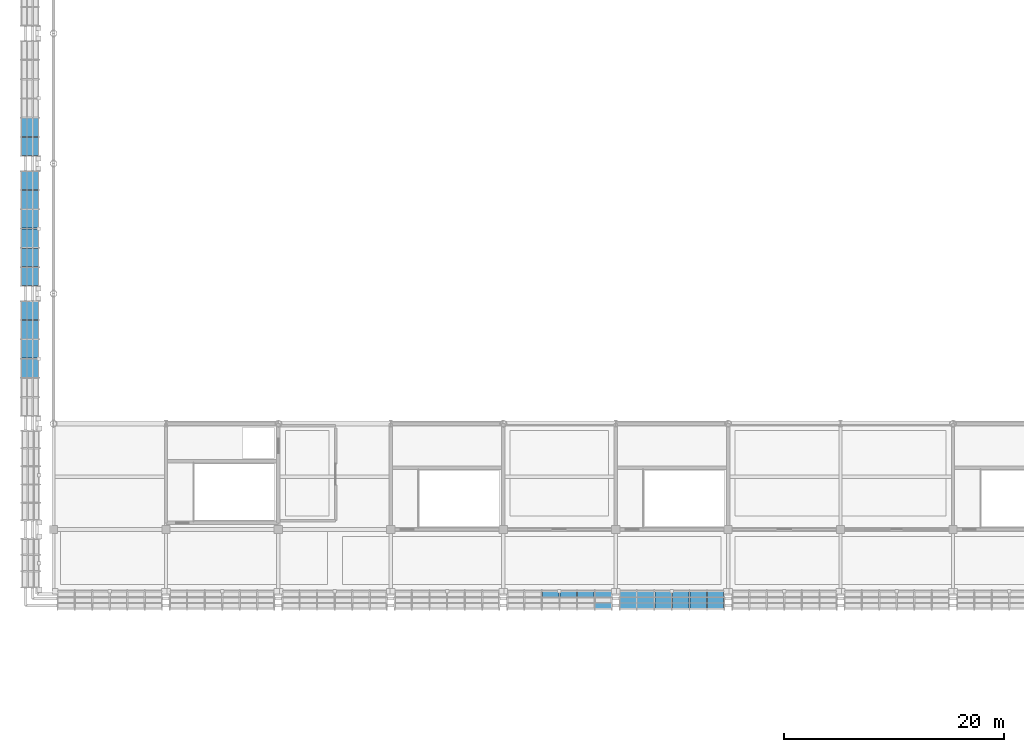
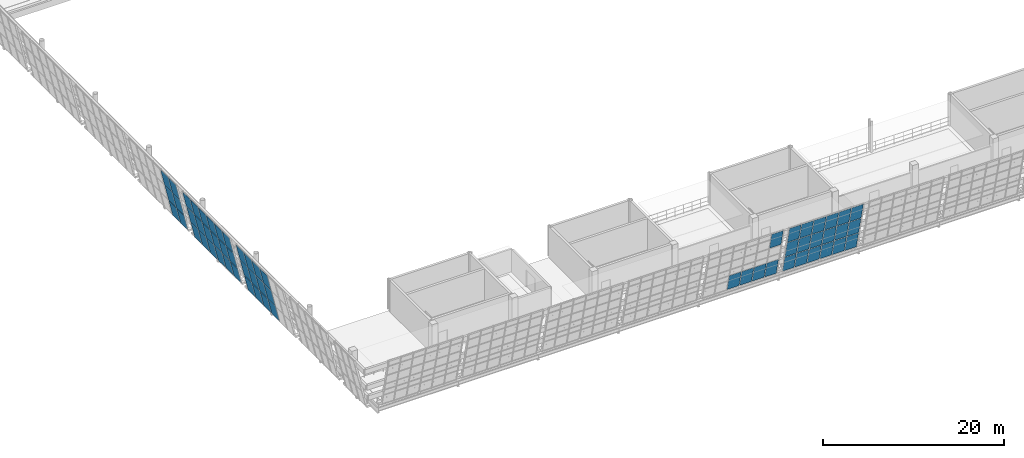
# One storey, part 102 of 157: 59 plates, 5 elements without a shape of their own.
"""IFC4 building model written with IfcOpenShell, lengths in metres."""

from ifc_helpers import new_model, si_unit, direction, frame, origin, place, context, subcontext, project, spatial, polyline, outline, extrude, material, layer, layer_set, type_object, element, aggregate, save


model = new_model("IFC4")

# Units and contexts
model_context = context("Model", 3, precision=1e-05, world=origin(), true_north=direction((0.0, 1.0)))
body_context = subcontext(model_context, "Body", "Model", "MODEL_VIEW")
ifc_project = project(units=[si_unit("LENGTHUNIT", "METRE"), si_unit("AREAUNIT", "SQUARE_METRE"), si_unit("VOLUMEUNIT", "CUBIC_METRE"), si_unit("PLANEANGLEUNIT", "RADIAN"), si_unit("MASSUNIT", "GRAM", prefix="KILO")], contexts=[model_context])

# Site, building, storey
site_placement = place(None, origin())
site = spatial("IfcSite", under=ifc_project, at=site_placement, CompositionType="ELEMENT")
building_placement = place(site_placement, origin())
building = spatial("IfcBuilding", under=site, at=building_placement, Name="Brelvane Convention Centre", CompositionType="ELEMENT")
storey_placement = place(building_placement, frame((0.0, 0.0, 10.800048828125)))
storey = spatial("IfcBuildingStorey", under=building, at=storey_placement, Name="L02", CompositionType="ELEMENT", Elevation=10.800048828125)

# Curtain wall, plate
ifc_material_1 = material(Name="Anodised Aluminium Alloy 6063-T6", Category="aluminium")
curtain_wall_type = type_object("IfcCurtainWallType", Name="Curtain Wall CW-HULL-S", PredefinedType="USERDEFINED", material=ifc_material_1)
curtain_wall_1_placement = place(storey_placement, origin())
curtain_wall_1 = element("IfcCurtainWall", 1, at=curtain_wall_1_placement, inside=storey, type_object=curtain_wall_type, Name="Curtain Wall CW-HULL-S L02-HULL-S-L02-05", ObjectType="UNITISED", PredefinedType="USERDEFINED")
ifc_material_2 = material(Name="Double Glazed Low-E Laminated Unit")
ifc_layer_1 = layer(ifc_material_2, 0.0380859375)
ifc_layer_set_1 = layer_set([ifc_layer_1], Name="Double Glazed Low-E Laminated Unit")
plate_type_1 = type_object("IfcPlateType", Name="Curtain Panel CW-PG2", PredefinedType="CURTAIN_PANEL", material=ifc_layer_set_1)
plate_1_placement = place(storey_placement, frame((49.126708984375, 12.51953125, 4.606689453125), z_axis=(0.0, 0.973586933466, 0.228316628794), x_axis=(1.0, 0.0, 0.0)))
plate_1 = element("IfcPlate", 2, at=plate_1_placement, type_object=plate_type_1, Name="CW-HULL-S panel 6.3", PredefinedType="CURTAIN_PANEL", context=body_context, shape_type="SweptSolid", body=[
    extrude(outline(polyline([(0.0, 0.0), (1.473388671875, 0.0), (1.473388671875, -2.2220204521674902), (0.0, -2.2220204521674902), (0.0, 0.0)])), origin(), (0.0, 0.0, -1.0), 0.0380859375),
])

# Curtain wall, plates
curtain_wall_2_placement = place(storey_placement, origin())
curtain_wall_2 = element("IfcCurtainWall", 3, at=curtain_wall_2_placement, inside=storey, type_object=curtain_wall_type, Name="Curtain Wall CW-HULL-S L02-HULL-S-L02-06", ObjectType="UNITISED", PredefinedType="USERDEFINED")
plate_2_placement = place(storey_placement, frame((51.39990234375, 13.05517578125, 2.3232421875), z_axis=(0.0, 0.973573977576, 0.228371868203), x_axis=(1.0, 0.0, 0.0)))
plate_2 = element("IfcPlate", 4, at=plate_2_placement, type_object=plate_type_1, Name="CW-HULL-S panel 1.2", PredefinedType="CURTAIN_PANEL", context=body_context, shape_type="SweptSolid", body=[
    extrude(outline(polyline([(0.0, 0.0), (1.473388671875, 0.0), (1.473388671875, -2.2631758771022032), (0.0, -2.2631758771022032), (0.0, 0.0)])), origin(), (0.0, 0.0, -1.0), 0.0380859375),
])
plate_3_placement = place(storey_placement, frame((51.39990234375, 12.51953125, 4.606689453125), z_axis=(0.0, 0.973586933466, 0.228316628794), x_axis=(1.0, 0.0, 0.0)))
plate_3 = element("IfcPlate", 5, at=plate_3_placement, type_object=plate_type_1, Name="CW-HULL-S panel 1.3", PredefinedType="CURTAIN_PANEL", context=body_context, shape_type="SweptSolid", body=[
    extrude(outline(polyline([(0.0, 0.0), (1.473388671875, 0.0), (1.473388671875, -2.2220204521674902), (0.0, -2.2220204521674902), (0.0, 0.0)])), origin(), (0.0, 0.0, -1.0), 0.0380859375),
])
plate_4_placement = place(storey_placement, frame((52.953369140625, 13.05517578125, 2.3232421875), z_axis=(0.0, 0.973573977576, 0.228371868203), x_axis=(1.0, 0.0, 0.0)))
plate_4 = element("IfcPlate", 6, at=plate_4_placement, type_object=plate_type_1, Name="CW-HULL-S panel 2.2", PredefinedType="CURTAIN_PANEL", context=body_context, shape_type="SweptSolid", body=[
    extrude(outline(polyline([(0.0, 0.0), (1.51318359375, 0.0), (1.51318359375, -2.2631758771022032), (0.0, -2.2631758771022032), (0.0, 0.0)])), origin(), (0.0, 0.0, -1.0), 0.0380859375),
])
plate_5_placement = place(storey_placement, frame((52.953369140625, 12.51953125, 4.606689453125), z_axis=(0.0, 0.973586933466, 0.228316628794), x_axis=(1.0, 0.0, 0.0)))
plate_5 = element("IfcPlate", 7, at=plate_5_placement, type_object=plate_type_1, Name="CW-HULL-S panel 2.3", PredefinedType="CURTAIN_PANEL", context=body_context, shape_type="SweptSolid", body=[
    extrude(outline(polyline([(0.0, 0.0), (1.51318359375, 0.0), (1.51318359375, -2.2220204521674902), (0.0, -2.2220204521674902), (0.0, 0.0)])), origin(), (0.0, 0.0, -1.0), 0.0380859375),
])
plate_6_placement = place(storey_placement, frame((54.546630859375, 13.05517578125, 2.3232421875), z_axis=(0.0, 0.973573977576, 0.228371868203), x_axis=(1.0, 0.0, 0.0)))
plate_6 = element("IfcPlate", 8, at=plate_6_placement, type_object=plate_type_1, Name="CW-HULL-S panel 3.2", PredefinedType="CURTAIN_PANEL", context=body_context, shape_type="SweptSolid", body=[
    extrude(outline(polyline([(0.0, 0.0), (1.513427734375, 0.0), (1.513427734375, -2.2631758771022032), (0.0, -2.2631758771022032), (0.0, 0.0)])), origin(), (0.0, 0.0, -1.0), 0.0380859375),
])
plate_7_placement = place(storey_placement, frame((54.546630859375, 12.51953125, 4.606689453125), z_axis=(0.0, 0.973586933466, 0.228316628794), x_axis=(1.0, 0.0, 0.0)))
plate_7 = element("IfcPlate", 9, at=plate_7_placement, type_object=plate_type_1, Name="CW-HULL-S panel 3.3", PredefinedType="CURTAIN_PANEL", context=body_context, shape_type="SweptSolid", body=[
    extrude(outline(polyline([(0.0, 0.0), (1.513427734375, 0.0), (1.513427734375, -2.2220204521674902), (0.0, -2.2220204521674902), (0.0, 0.0)])), origin(), (0.0, 0.0, -1.0), 0.0380859375),
])
plate_8_placement = place(storey_placement, frame((56.139892578125, 13.05517578125, 2.3232421875), z_axis=(0.0, 0.973573977576, 0.228371868203), x_axis=(1.0, 0.0, 0.0)))
plate_8 = element("IfcPlate", 10, at=plate_8_placement, type_object=plate_type_1, Name="CW-HULL-S panel 4.2", PredefinedType="CURTAIN_PANEL", context=body_context, shape_type="SweptSolid", body=[
    extrude(outline(polyline([(0.0, 0.0), (1.513427734375, 0.0), (1.513427734375, -2.2631758771022032), (0.0, -2.2631758771022032), (0.0, 0.0)])), origin(), (0.0, 0.0, -1.0), 0.0380859375),
])
plate_9_placement = place(storey_placement, frame((56.139892578125, 12.51953125, 4.606689453125), z_axis=(0.0, 0.973586933466, 0.228316628794), x_axis=(1.0, 0.0, 0.0)))
plate_9 = element("IfcPlate", 11, at=plate_9_placement, type_object=plate_type_1, Name="CW-HULL-S panel 4.3", PredefinedType="CURTAIN_PANEL", context=body_context, shape_type="SweptSolid", body=[
    extrude(outline(polyline([(0.0, 0.0), (1.513427734375, 0.0), (1.513427734375, -2.2220204521674902), (0.0, -2.2220204521674902), (0.0, 0.0)])), origin(), (0.0, 0.0, -1.0), 0.0380859375),
])
plate_10_placement = place(storey_placement, frame((57.7333984375, 13.05517578125, 2.3232421875), z_axis=(0.0, 0.973573977576, 0.228371868203), x_axis=(1.0, 0.0, 0.0)))
plate_10 = element("IfcPlate", 12, at=plate_10_placement, type_object=plate_type_1, Name="CW-HULL-S panel 5.2", PredefinedType="CURTAIN_PANEL", context=body_context, shape_type="SweptSolid", body=[
    extrude(outline(polyline([(0.0, 0.0), (1.51318359375, 0.0), (1.51318359375, -2.2631758771022032), (0.0, -2.2631758771022032), (0.0, 0.0)])), origin(), (0.0, 0.0, -1.0), 0.0380859375),
])
plate_11_placement = place(storey_placement, frame((57.7333984375, 12.51953125, 4.606689453125), z_axis=(0.0, 0.973586933466, 0.228316628794), x_axis=(1.0, 0.0, 0.0)))
plate_11 = element("IfcPlate", 13, at=plate_11_placement, type_object=plate_type_1, Name="CW-HULL-S panel 5.3", PredefinedType="CURTAIN_PANEL", context=body_context, shape_type="SweptSolid", body=[
    extrude(outline(polyline([(0.0, 0.0), (1.51318359375, 0.0), (1.51318359375, -2.2220204521674902), (0.0, -2.2220204521674902), (0.0, 0.0)])), origin(), (0.0, 0.0, -1.0), 0.0380859375),
])
plate_12_placement = place(storey_placement, frame((59.32666015625, 13.05517578125, 2.3232421875), z_axis=(0.0, 0.973573977576, 0.228371868203), x_axis=(1.0, 0.0, 0.0)))
plate_12 = element("IfcPlate", 14, at=plate_12_placement, type_object=plate_type_1, Name="CW-HULL-S panel 6.2", PredefinedType="CURTAIN_PANEL", context=body_context, shape_type="SweptSolid", body=[
    extrude(outline(polyline([(0.0, 0.0), (1.473388671875, 0.0), (1.473388671875, -2.2631758771022032), (0.0, -2.2631758771022032), (0.0, 0.0)])), origin(), (0.0, 0.0, -1.0), 0.0380859375),
])
plate_13_placement = place(storey_placement, frame((59.32666015625, 12.51953125, 4.606689453125), z_axis=(0.0, 0.973586933466, 0.228316628794), x_axis=(1.0, 0.0, 0.0)))
plate_13 = element("IfcPlate", 15, at=plate_13_placement, type_object=plate_type_1, Name="CW-HULL-S panel 6.3", PredefinedType="CURTAIN_PANEL", context=body_context, shape_type="SweptSolid", body=[
    extrude(outline(polyline([(0.0, 0.0), (1.473388671875, 0.0), (1.473388671875, -2.2220204521674902), (0.0, -2.2220204521674902), (0.0, 0.0)])), origin(), (0.0, 0.0, -1.0), 0.0380859375),
])

curtain_wall_3_placement = place(storey_placement, origin())
curtain_wall_3 = element("IfcCurtainWall", 16, at=curtain_wall_3_placement, inside=storey, type_object=curtain_wall_type, Name="Curtain Wall CW-HULL-S L02-HULL-W-L02-1", ObjectType="UNITISED", PredefinedType="USERDEFINED")
plate_14_placement = place(storey_placement, frame((-1.89599609375, 32.987548828125, 2.284912109375), z_axis=(0.973585642401, 0.0, 0.228322134079), x_axis=(0.0, 1.0, 0.0)))
plate_14 = element("IfcPlate", 17, at=plate_14_placement, type_object=plate_type_1, Name="CW-HULL-S panel 3.2", PredefinedType="CURTAIN_PANEL", context=body_context, shape_type="SweptSolid", body=[
    extrude(outline(polyline([(0.0, 0.0), (1.675048828125, 0.0), (1.675048828125, 2.2390753783596367), (0.0, 2.2390753783596367), (0.0, 0.0)])), origin(), (0.0, 0.0, -1.0), 0.0380859375),
])
plate_15_placement = place(storey_placement, frame((-2.423583984375, 32.987548828125, 4.534912109375), z_axis=(0.973572440639, 0.0, 0.228378420232), x_axis=(0.0, 1.0, 0.0)))
plate_15 = element("IfcPlate", 18, at=plate_15_placement, type_object=plate_type_1, Name="CW-HULL-S panel 3.3", PredefinedType="CURTAIN_PANEL", context=body_context, shape_type="SweptSolid", body=[
    extrude(outline(polyline([(0.0, 0.0), (1.675048828125, 0.0), (1.675048828125, 2.203245944227275), (0.0, 2.203245944227275), (0.0, 0.0)])), origin(), (0.0, 0.0, -1.0), 0.0380859375),
])
plate_16_placement = place(storey_placement, frame((-1.89599609375, 34.737548828125, 2.284912109375), z_axis=(0.973585642401, 0.0, 0.228322134079), x_axis=(0.0, 1.0, 0.0)))
plate_16 = element("IfcPlate", 19, at=plate_16_placement, type_object=plate_type_1, Name="CW-HULL-S panel 4.2", PredefinedType="CURTAIN_PANEL", context=body_context, shape_type="SweptSolid", body=[
    extrude(outline(polyline([(0.0, 0.0), (1.675048828125, 0.0), (1.675048828125, 2.2390753783596367), (0.0, 2.2390753783596367), (0.0, 0.0)])), origin(), (0.0, 0.0, -1.0), 0.0380859375),
])
plate_17_placement = place(storey_placement, frame((-2.423583984375, 34.737548828125, 4.534912109375), z_axis=(0.973572440639, 0.0, 0.228378420232), x_axis=(0.0, 1.0, 0.0)))
plate_17 = element("IfcPlate", 20, at=plate_17_placement, type_object=plate_type_1, Name="CW-HULL-S panel 4.3", PredefinedType="CURTAIN_PANEL", context=body_context, shape_type="SweptSolid", body=[
    extrude(outline(polyline([(0.0, 0.0), (1.675048828125, 0.0), (1.675048828125, 2.203245944227275), (0.0, 2.203245944227275), (0.0, 0.0)])), origin(), (0.0, 0.0, -1.0), 0.0380859375),
])
plate_18_placement = place(storey_placement, frame((-1.89599609375, 36.487548828125, 2.284912109375), z_axis=(0.973585642401, 0.0, 0.228322134079), x_axis=(0.0, 1.0, 0.0)))
plate_18 = element("IfcPlate", 21, at=plate_18_placement, type_object=plate_type_1, Name="CW-HULL-S panel 5.2", PredefinedType="CURTAIN_PANEL", context=body_context, shape_type="SweptSolid", body=[
    extrude(outline(polyline([(0.0, 0.0), (1.675048828125, 0.0), (1.675048828125, 2.2390753783596367), (0.0, 2.2390753783596367), (0.0, 0.0)])), origin(), (0.0, 0.0, -1.0), 0.0380859375),
])
plate_19_placement = place(storey_placement, frame((-2.423583984375, 36.487548828125, 4.534912109375), z_axis=(0.973572440639, 0.0, 0.228378420232), x_axis=(0.0, 1.0, 0.0)))
plate_19 = element("IfcPlate", 22, at=plate_19_placement, type_object=plate_type_1, Name="CW-HULL-S panel 5.3", PredefinedType="CURTAIN_PANEL", context=body_context, shape_type="SweptSolid", body=[
    extrude(outline(polyline([(0.0, 0.0), (1.675048828125, 0.0), (1.675048828125, 2.203245944227275), (0.0, 2.203245944227275), (0.0, 0.0)])), origin(), (0.0, 0.0, -1.0), 0.0380859375),
])
plate_20_placement = place(storey_placement, frame((-1.89599609375, 38.237548828125, 2.284912109375), z_axis=(0.973585642401, 0.0, 0.228322134079), x_axis=(0.0, 1.0, 0.0)))
plate_20 = element("IfcPlate", 23, at=plate_20_placement, type_object=plate_type_1, Name="CW-HULL-S panel 6.2", PredefinedType="CURTAIN_PANEL", context=body_context, shape_type="SweptSolid", body=[
    extrude(outline(polyline([(0.0, 0.0), (1.637451171875, 0.0), (1.637451171875, 2.2390753783596367), (0.0, 2.2390753783596367), (0.0, 0.0)])), origin(), (0.0, 0.0, -1.0), 0.0380859375),
])
plate_21_placement = place(storey_placement, frame((-2.423583984375, 38.237548828125, 4.534912109375), z_axis=(0.973572440639, 0.0, 0.228378420232), x_axis=(0.0, 1.0, 0.0)))
plate_21 = element("IfcPlate", 24, at=plate_21_placement, type_object=plate_type_1, Name="CW-HULL-S panel 6.3", PredefinedType="CURTAIN_PANEL", context=body_context, shape_type="SweptSolid", body=[
    extrude(outline(polyline([(0.0, 0.0), (1.637451171875, 0.0), (1.637451171875, 2.203245944227275), (0.0, 2.203245944227275), (0.0, 0.0)])), origin(), (0.0, 0.0, -1.0), 0.0380859375),
])

curtain_wall_4_placement = place(storey_placement, origin())
curtain_wall_4 = element("IfcCurtainWall", 25, at=curtain_wall_4_placement, inside=storey, type_object=curtain_wall_type, Name="Curtain Wall CW-HULL-S L02-HULL-W-L02-2", ObjectType="UNITISED", PredefinedType="USERDEFINED")
plate_22_placement = place(storey_placement, frame((-1.89599609375, 41.324951171875, 2.284912109375), z_axis=(0.973585642401, 0.0, 0.228322134079), x_axis=(0.0, 1.0, 0.0)))
plate_22 = element("IfcPlate", 26, at=plate_22_placement, type_object=plate_type_1, Name="CW-HULL-S panel 1.2", PredefinedType="CURTAIN_PANEL", context=body_context, shape_type="SweptSolid", body=[
    extrude(outline(polyline([(0.0, 0.0), (1.637451171875, 0.0), (1.637451171875, 2.2390753783596367), (0.0, 2.2390753783596367), (0.0, 0.0)])), origin(), (0.0, 0.0, -1.0), 0.0380859375),
])
plate_23_placement = place(storey_placement, frame((-2.423583984375, 41.324951171875, 4.534912109375), z_axis=(0.973572440639, 0.0, 0.228378420232), x_axis=(0.0, 1.0, 0.0)))
plate_23 = element("IfcPlate", 27, at=plate_23_placement, type_object=plate_type_1, Name="CW-HULL-S panel 1.3", PredefinedType="CURTAIN_PANEL", context=body_context, shape_type="SweptSolid", body=[
    extrude(outline(polyline([(0.0, 0.0), (1.637451171875, 0.0), (1.637451171875, 2.203245944227275), (0.0, 2.203245944227275), (0.0, 0.0)])), origin(), (0.0, 0.0, -1.0), 0.0380859375),
])
plate_24_placement = place(storey_placement, frame((-1.89599609375, 43.03759765625, 2.284912109375), z_axis=(0.973585642401, 0.0, 0.228322134079), x_axis=(0.0, 1.0, 0.0)))
plate_24 = element("IfcPlate", 28, at=plate_24_placement, type_object=plate_type_1, Name="CW-HULL-S panel 2.2", PredefinedType="CURTAIN_PANEL", context=body_context, shape_type="SweptSolid", body=[
    extrude(outline(polyline([(0.0, 0.0), (1.6748046875, 0.0), (1.6748046875, 2.2390753783596367), (0.0, 2.2390753783596367), (0.0, 0.0)])), origin(), (0.0, 0.0, -1.0), 0.0380859375),
])
plate_25_placement = place(storey_placement, frame((-2.423583984375, 43.03759765625, 4.534912109375), z_axis=(0.973572440639, 0.0, 0.228378420232), x_axis=(0.0, 1.0, 0.0)))
plate_25 = element("IfcPlate", 29, at=plate_25_placement, type_object=plate_type_1, Name="CW-HULL-S panel 2.3", PredefinedType="CURTAIN_PANEL", context=body_context, shape_type="SweptSolid", body=[
    extrude(outline(polyline([(0.0, 0.0), (1.6748046875, 0.0), (1.6748046875, 2.203245944227275), (0.0, 2.203245944227275), (0.0, 0.0)])), origin(), (0.0, 0.0, -1.0), 0.0380859375),
])
plate_26_placement = place(storey_placement, frame((-1.89599609375, 44.78759765625, 2.284912109375), z_axis=(0.973585642401, 0.0, 0.228322134079), x_axis=(0.0, 1.0, 0.0)))
plate_26 = element("IfcPlate", 30, at=plate_26_placement, type_object=plate_type_1, Name="CW-HULL-S panel 3.2", PredefinedType="CURTAIN_PANEL", context=body_context, shape_type="SweptSolid", body=[
    extrude(outline(polyline([(0.0, 0.0), (1.6748046875, 0.0), (1.6748046875, 2.2390753783596367), (0.0, 2.2390753783596367), (0.0, 0.0)])), origin(), (0.0, 0.0, -1.0), 0.0380859375),
])
plate_27_placement = place(storey_placement, frame((-2.423583984375, 44.78759765625, 4.534912109375), z_axis=(0.973572440639, 0.0, 0.228378420232), x_axis=(0.0, 1.0, 0.0)))
plate_27 = element("IfcPlate", 31, at=plate_27_placement, type_object=plate_type_1, Name="CW-HULL-S panel 3.3", PredefinedType="CURTAIN_PANEL", context=body_context, shape_type="SweptSolid", body=[
    extrude(outline(polyline([(0.0, 0.0), (1.6748046875, 0.0), (1.6748046875, 2.203245944227275), (0.0, 2.203245944227275), (0.0, 0.0)])), origin(), (0.0, 0.0, -1.0), 0.0380859375),
])
plate_28_placement = place(storey_placement, frame((-1.89599609375, 46.53759765625, 2.284912109375), z_axis=(0.973585642401, 0.0, 0.228322134079), x_axis=(0.0, 1.0, 0.0)))
plate_28 = element("IfcPlate", 32, at=plate_28_placement, type_object=plate_type_1, Name="CW-HULL-S panel 4.2", PredefinedType="CURTAIN_PANEL", context=body_context, shape_type="SweptSolid", body=[
    extrude(outline(polyline([(0.0, 0.0), (1.6748046875, 0.0), (1.6748046875, 2.2390753783596367), (0.0, 2.2390753783596367), (0.0, 0.0)])), origin(), (0.0, 0.0, -1.0), 0.0380859375),
])
plate_29_placement = place(storey_placement, frame((-2.423583984375, 46.53759765625, 4.534912109375), z_axis=(0.973572440639, 0.0, 0.228378420232), x_axis=(0.0, 1.0, 0.0)))
plate_29 = element("IfcPlate", 33, at=plate_29_placement, type_object=plate_type_1, Name="CW-HULL-S panel 4.3", PredefinedType="CURTAIN_PANEL", context=body_context, shape_type="SweptSolid", body=[
    extrude(outline(polyline([(0.0, 0.0), (1.6748046875, 0.0), (1.6748046875, 2.203245944227275), (0.0, 2.203245944227275), (0.0, 0.0)])), origin(), (0.0, 0.0, -1.0), 0.0380859375),
])
plate_30_placement = place(storey_placement, frame((-1.89599609375, 48.28759765625, 2.284912109375), z_axis=(0.973585642401, 0.0, 0.228322134079), x_axis=(0.0, 1.0, 0.0)))
plate_30 = element("IfcPlate", 34, at=plate_30_placement, type_object=plate_type_1, Name="CW-HULL-S panel 5.2", PredefinedType="CURTAIN_PANEL", context=body_context, shape_type="SweptSolid", body=[
    extrude(outline(polyline([(0.0, 0.0), (1.6748046875, 0.0), (1.6748046875, 2.2390753783596367), (0.0, 2.2390753783596367), (0.0, 0.0)])), origin(), (0.0, 0.0, -1.0), 0.0380859375),
])
plate_31_placement = place(storey_placement, frame((-2.423583984375, 48.28759765625, 4.534912109375), z_axis=(0.973572440639, 0.0, 0.228378420232), x_axis=(0.0, 1.0, 0.0)))
plate_31 = element("IfcPlate", 35, at=plate_31_placement, type_object=plate_type_1, Name="CW-HULL-S panel 5.3", PredefinedType="CURTAIN_PANEL", context=body_context, shape_type="SweptSolid", body=[
    extrude(outline(polyline([(0.0, 0.0), (1.6748046875, 0.0), (1.6748046875, 2.203245944227275), (0.0, 2.203245944227275), (0.0, 0.0)])), origin(), (0.0, 0.0, -1.0), 0.0380859375),
])
plate_32_placement = place(storey_placement, frame((-1.89599609375, 50.03759765625, 2.284912109375), z_axis=(0.973585642401, 0.0, 0.228322134079), x_axis=(0.0, 1.0, 0.0)))
plate_32 = element("IfcPlate", 36, at=plate_32_placement, type_object=plate_type_1, Name="CW-HULL-S panel 6.2", PredefinedType="CURTAIN_PANEL", context=body_context, shape_type="SweptSolid", body=[
    extrude(outline(polyline([(0.0, 0.0), (1.637451171875, 0.0), (1.637451171875, 2.2390753783596367), (0.0, 2.2390753783596367), (0.0, 0.0)])), origin(), (0.0, 0.0, -1.0), 0.0380859375),
])
plate_33_placement = place(storey_placement, frame((-2.423583984375, 50.03759765625, 4.534912109375), z_axis=(0.973572440639, 0.0, 0.228378420232), x_axis=(0.0, 1.0, 0.0)))
plate_33 = element("IfcPlate", 37, at=plate_33_placement, type_object=plate_type_1, Name="CW-HULL-S panel 6.3", PredefinedType="CURTAIN_PANEL", context=body_context, shape_type="SweptSolid", body=[
    extrude(outline(polyline([(0.0, 0.0), (1.637451171875, 0.0), (1.637451171875, 2.203245944227275), (0.0, 2.203245944227275), (0.0, 0.0)])), origin(), (0.0, 0.0, -1.0), 0.0380859375),
])

curtain_wall_5_placement = place(storey_placement, origin())
curtain_wall_5 = element("IfcCurtainWall", 38, at=curtain_wall_5_placement, inside=storey, type_object=curtain_wall_type, Name="Curtain Wall CW-HULL-S L02-HULL-W-L02-3", ObjectType="UNITISED", PredefinedType="USERDEFINED")
plate_34_placement = place(storey_placement, frame((-1.89599609375, 53.125, 2.284912109375), z_axis=(0.973585642401, 0.0, 0.228322134079), x_axis=(0.0, 1.0, 0.0)))
plate_34 = element("IfcPlate", 39, at=plate_34_placement, type_object=plate_type_1, Name="CW-HULL-S panel 1.2", PredefinedType="CURTAIN_PANEL", context=body_context, shape_type="SweptSolid", body=[
    extrude(outline(polyline([(0.0, 0.0), (1.637451171875, 0.0), (1.637451171875, 2.2390753783596367), (0.0, 2.2390753783596367), (0.0, 0.0)])), origin(), (0.0, 0.0, -1.0), 0.0380859375),
])
plate_35_placement = place(storey_placement, frame((-2.423583984375, 53.125, 4.534912109375), z_axis=(0.973572440639, 0.0, 0.228378420232), x_axis=(0.0, 1.0, 0.0)))
plate_35 = element("IfcPlate", 40, at=plate_35_placement, type_object=plate_type_1, Name="CW-HULL-S panel 1.3", PredefinedType="CURTAIN_PANEL", context=body_context, shape_type="SweptSolid", body=[
    extrude(outline(polyline([(0.0, 0.0), (1.637451171875, 0.0), (1.637451171875, 2.203245944227275), (0.0, 2.203245944227275), (0.0, 0.0)])), origin(), (0.0, 0.0, -1.0), 0.0380859375),
])
plate_36_placement = place(storey_placement, frame((-1.89599609375, 54.83740234375, 2.284912109375), z_axis=(0.973585642401, 0.0, 0.228322134079), x_axis=(0.0, 1.0, 0.0)))
plate_36 = element("IfcPlate", 41, at=plate_36_placement, type_object=plate_type_1, Name="CW-HULL-S panel 2.2", PredefinedType="CURTAIN_PANEL", context=body_context, shape_type="SweptSolid", body=[
    extrude(outline(polyline([(0.0, 0.0), (1.675048828125, 0.0), (1.675048828125, 2.2390753783596367), (0.0, 2.2390753783596367), (0.0, 0.0)])), origin(), (0.0, 0.0, -1.0), 0.0380859375),
])
plate_37_placement = place(storey_placement, frame((-2.423583984375, 54.83740234375, 4.534912109375), z_axis=(0.973572440639, 0.0, 0.228378420232), x_axis=(0.0, 1.0, 0.0)))
plate_37 = element("IfcPlate", 42, at=plate_37_placement, type_object=plate_type_1, Name="CW-HULL-S panel 2.3", PredefinedType="CURTAIN_PANEL", context=body_context, shape_type="SweptSolid", body=[
    extrude(outline(polyline([(0.0, 0.0), (1.675048828125, 0.0), (1.675048828125, 2.203245944227275), (0.0, 2.203245944227275), (0.0, 0.0)])), origin(), (0.0, 0.0, -1.0), 0.0380859375),
])

# Plate
ifc_material_3 = material(Name="Patinated Copper-Bronze Alloy C22000")
ifc_layer_2 = layer(ifc_material_3, 0.055908203125)
ifc_layer_set_2 = layer_set([ifc_layer_2], Name="Patinated Copper-Bronze Alloy C22000")
plate_type_2 = type_object("IfcPlateType", Name="Curtain Panel CW-PS2", PredefinedType="CURTAIN_PANEL", material=ifc_layer_set_2)
plate_38_placement = place(storey_placement, frame((44.3466796875, 13.581298828125, 0.079833984375), z_axis=(0.0, 0.973562505213, 0.228420770606), x_axis=(1.0, 0.0, 0.0)))
plate_38 = element("IfcPlate", 43, at=plate_38_placement, type_object=plate_type_2, Name="CW-HULL-S panel 3.1", PredefinedType="CURTAIN_PANEL", context=body_context, shape_type="SweptSolid", body=[
    extrude(outline(polyline([(0.0, 0.0), (1.513427734375, 0.0), (1.513427734375, -2.2220762062447244), (0.0, -2.2220762062447244), (0.0, 0.0)])), origin(), (0.0, 0.0, -1.0), 0.0380859375),
])

plate_39_placement = place(storey_placement, frame((45.93994140625, 13.581298828125, 0.079833984375), z_axis=(0.0, 0.973562505213, 0.228420770606), x_axis=(1.0, 0.0, 0.0)))
plate_39 = element("IfcPlate", 44, at=plate_39_placement, type_object=plate_type_2, Name="CW-HULL-S panel 4.1", PredefinedType="CURTAIN_PANEL", context=body_context, shape_type="SweptSolid", body=[
    extrude(outline(polyline([(0.0, 0.0), (1.513427734375, 0.0), (1.513427734375, -2.2220762062447244), (0.0, -2.2220762062447244), (0.0, 0.0)])), origin(), (0.0, 0.0, -1.0), 0.0380859375),
])

plate_40_placement = place(storey_placement, frame((47.533447265625, 13.581298828125, 0.079833984375), z_axis=(0.0, 0.973562505213, 0.228420770606), x_axis=(1.0, 0.0, 0.0)))
plate_40 = element("IfcPlate", 45, at=plate_40_placement, type_object=plate_type_2, Name="CW-HULL-S panel 5.1", PredefinedType="CURTAIN_PANEL", context=body_context, shape_type="SweptSolid", body=[
    extrude(outline(polyline([(0.0, 0.0), (1.51318359375, 0.0), (1.51318359375, -2.2220762062447244), (0.0, -2.2220762062447244), (0.0, 0.0)])), origin(), (0.0, 0.0, -1.0), 0.0380859375),
])

plate_41_placement = place(storey_placement, frame((49.126708984375, 13.581298828125, 0.079833984375), z_axis=(0.0, 0.973562505213, 0.228420770606), x_axis=(1.0, 0.0, 0.0)))
plate_41 = element("IfcPlate", 46, at=plate_41_placement, type_object=plate_type_2, Name="CW-HULL-S panel 6.1", PredefinedType="CURTAIN_PANEL", context=body_context, shape_type="SweptSolid", body=[
    extrude(outline(polyline([(0.0, 0.0), (1.473388671875, 0.0), (1.473388671875, -2.222076206244725), (0.0, -2.222076206244725), (0.0, 0.0)])), origin(), (0.0, 0.0, -1.0), 0.0380859375),
])

aggregate(curtain_wall_1, [plate_38, plate_39, plate_40, plate_41, plate_1])

plate_42_placement = place(storey_placement, frame((51.39990234375, 13.581298828125, 0.079833984375), z_axis=(0.0, 0.973562505213, 0.228420770606), x_axis=(1.0, 0.0, 0.0)))
plate_42 = element("IfcPlate", 47, at=plate_42_placement, type_object=plate_type_2, Name="CW-HULL-S panel 1.1", PredefinedType="CURTAIN_PANEL", context=body_context, shape_type="SweptSolid", body=[
    extrude(outline(polyline([(0.0, 0.0), (1.473388671875, 0.0), (1.473388671875, -2.222076206244725), (0.0, -2.222076206244725), (0.0, 0.0)])), origin(), (0.0, 0.0, -1.0), 0.0380859375),
])

plate_43_placement = place(storey_placement, frame((52.953369140625, 13.581298828125, 0.079833984375), z_axis=(0.0, 0.973562505213, 0.228420770606), x_axis=(1.0, 0.0, 0.0)))
plate_43 = element("IfcPlate", 48, at=plate_43_placement, type_object=plate_type_2, Name="CW-HULL-S panel 2.1", PredefinedType="CURTAIN_PANEL", context=body_context, shape_type="SweptSolid", body=[
    extrude(outline(polyline([(0.0, 0.0), (1.51318359375, 0.0), (1.51318359375, -2.2220762062447244), (0.0, -2.2220762062447244), (0.0, 0.0)])), origin(), (0.0, 0.0, -1.0), 0.0380859375),
])

plate_44_placement = place(storey_placement, frame((54.546630859375, 13.581298828125, 0.079833984375), z_axis=(0.0, 0.973562505213, 0.228420770606), x_axis=(1.0, 0.0, 0.0)))
plate_44 = element("IfcPlate", 49, at=plate_44_placement, type_object=plate_type_2, Name="CW-HULL-S panel 3.1", PredefinedType="CURTAIN_PANEL", context=body_context, shape_type="SweptSolid", body=[
    extrude(outline(polyline([(0.0, 0.0), (1.513427734375, 0.0), (1.513427734375, -2.2220762062447244), (0.0, -2.2220762062447244), (0.0, 0.0)])), origin(), (0.0, 0.0, -1.0), 0.0380859375),
])

plate_45_placement = place(storey_placement, frame((56.139892578125, 13.581298828125, 0.079833984375), z_axis=(0.0, 0.973562505213, 0.228420770606), x_axis=(1.0, 0.0, 0.0)))
plate_45 = element("IfcPlate", 50, at=plate_45_placement, type_object=plate_type_2, Name="CW-HULL-S panel 4.1", PredefinedType="CURTAIN_PANEL", context=body_context, shape_type="SweptSolid", body=[
    extrude(outline(polyline([(0.0, 0.0), (1.513427734375, 0.0), (1.513427734375, -2.2220762062447244), (0.0, -2.2220762062447244), (0.0, 0.0)])), origin(), (0.0, 0.0, -1.0), 0.0380859375),
])

plate_46_placement = place(storey_placement, frame((57.7333984375, 13.581298828125, 0.079833984375), z_axis=(0.0, 0.973562505213, 0.228420770606), x_axis=(1.0, 0.0, 0.0)))
plate_46 = element("IfcPlate", 51, at=plate_46_placement, type_object=plate_type_2, Name="CW-HULL-S panel 5.1", PredefinedType="CURTAIN_PANEL", context=body_context, shape_type="SweptSolid", body=[
    extrude(outline(polyline([(0.0, 0.0), (1.51318359375, 0.0), (1.51318359375, -2.2220762062447244), (0.0, -2.2220762062447244), (0.0, 0.0)])), origin(), (0.0, 0.0, -1.0), 0.0380859375),
])

plate_47_placement = place(storey_placement, frame((59.32666015625, 13.581298828125, 0.079833984375), z_axis=(0.0, 0.973562505213, 0.228420770606), x_axis=(1.0, 0.0, 0.0)))
plate_47 = element("IfcPlate", 52, at=plate_47_placement, type_object=plate_type_2, Name="CW-HULL-S panel 6.1", PredefinedType="CURTAIN_PANEL", context=body_context, shape_type="SweptSolid", body=[
    extrude(outline(polyline([(0.0, 0.0), (1.473388671875, 0.0), (1.473388671875, -2.222076206244725), (0.0, -2.222076206244725), (0.0, 0.0)])), origin(), (0.0, 0.0, -1.0), 0.0380859375),
])

aggregate(curtain_wall_2, [plate_42, plate_2, plate_3, plate_43, plate_4, plate_5, plate_44, plate_6, plate_7, plate_45, plate_8, plate_9, plate_46, plate_10, plate_11, plate_47, plate_12, plate_13])

plate_48_placement = place(storey_placement, frame((-1.37646484375, 32.987548828125, 0.070068359375), z_axis=(0.973566660245, 0.0, 0.228403060531), x_axis=(0.0, 1.0, 0.0)))
plate_48 = element("IfcPlate", 53, at=plate_48_placement, type_object=plate_type_2, Name="CW-HULL-S panel 3.1", PredefinedType="CURTAIN_PANEL", context=body_context, shape_type="SweptSolid", body=[
    extrude(outline(polyline([(0.0, 0.0), (1.675048828125, 0.0), (1.675048828125, 2.2030082563487112), (0.0, 2.2030082563487112), (0.0, 0.0)])), origin(), (0.0, 0.0, -1.0), 0.0380859375),
])

plate_49_placement = place(storey_placement, frame((-1.37646484375, 34.737548828125, 0.070068359375), z_axis=(0.973566660245, 0.0, 0.228403060531), x_axis=(0.0, 1.0, 0.0)))
plate_49 = element("IfcPlate", 54, at=plate_49_placement, type_object=plate_type_2, Name="CW-HULL-S panel 4.1", PredefinedType="CURTAIN_PANEL", context=body_context, shape_type="SweptSolid", body=[
    extrude(outline(polyline([(0.0, 0.0), (1.675048828125, 0.0), (1.675048828125, 2.2030082563487112), (0.0, 2.2030082563487112), (0.0, 0.0)])), origin(), (0.0, 0.0, -1.0), 0.0380859375),
])

plate_50_placement = place(storey_placement, frame((-1.37646484375, 36.487548828125, 0.070068359375), z_axis=(0.973566660245, 0.0, 0.228403060531), x_axis=(0.0, 1.0, 0.0)))
plate_50 = element("IfcPlate", 55, at=plate_50_placement, type_object=plate_type_2, Name="CW-HULL-S panel 5.1", PredefinedType="CURTAIN_PANEL", context=body_context, shape_type="SweptSolid", body=[
    extrude(outline(polyline([(0.0, 0.0), (1.675048828125, 0.0), (1.675048828125, 2.2030082563487112), (0.0, 2.2030082563487112), (0.0, 0.0)])), origin(), (0.0, 0.0, -1.0), 0.0380859375),
])

plate_51_placement = place(storey_placement, frame((-1.37646484375, 38.237548828125, 0.070068359375), z_axis=(0.973566660245, 0.0, 0.228403060531), x_axis=(0.0, 1.0, 0.0)))
plate_51 = element("IfcPlate", 56, at=plate_51_placement, type_object=plate_type_2, Name="CW-HULL-S panel 6.1", PredefinedType="CURTAIN_PANEL", context=body_context, shape_type="SweptSolid", body=[
    extrude(outline(polyline([(0.0, 0.0), (1.637451171875, 0.0), (1.637451171875, 2.203008256348711), (0.0, 2.203008256348711), (0.0, 0.0)])), origin(), (0.0, 0.0, -1.0), 0.0380859375),
])

aggregate(curtain_wall_3, [plate_48, plate_14, plate_15, plate_49, plate_16, plate_17, plate_50, plate_18, plate_19, plate_51, plate_20, plate_21])

plate_52_placement = place(storey_placement, frame((-1.37646484375, 41.324951171875, 0.070068359375), z_axis=(0.973566660245, 0.0, 0.228403060531), x_axis=(0.0, 1.0, 0.0)))
plate_52 = element("IfcPlate", 57, at=plate_52_placement, type_object=plate_type_2, Name="CW-HULL-S panel 1.1", PredefinedType="CURTAIN_PANEL", context=body_context, shape_type="SweptSolid", body=[
    extrude(outline(polyline([(0.0, 0.0), (1.637451171875, 0.0), (1.637451171875, 2.203008256348711), (0.0, 2.203008256348711), (0.0, 0.0)])), origin(), (0.0, 0.0, -1.0), 0.0380859375),
])

plate_53_placement = place(storey_placement, frame((-1.37646484375, 43.03759765625, 0.070068359375), z_axis=(0.973566660245, 0.0, 0.228403060531), x_axis=(0.0, 1.0, 0.0)))
plate_53 = element("IfcPlate", 58, at=plate_53_placement, type_object=plate_type_2, Name="CW-HULL-S panel 2.1", PredefinedType="CURTAIN_PANEL", context=body_context, shape_type="SweptSolid", body=[
    extrude(outline(polyline([(0.0, 0.0), (1.6748046875, 0.0), (1.6748046875, 2.2030082563487112), (0.0, 2.2030082563487112), (0.0, 0.0)])), origin(), (0.0, 0.0, -1.0), 0.0380859375),
])

plate_54_placement = place(storey_placement, frame((-1.37646484375, 44.78759765625, 0.070068359375), z_axis=(0.973566660245, 0.0, 0.228403060531), x_axis=(0.0, 1.0, 0.0)))
plate_54 = element("IfcPlate", 59, at=plate_54_placement, type_object=plate_type_2, Name="CW-HULL-S panel 3.1", PredefinedType="CURTAIN_PANEL", context=body_context, shape_type="SweptSolid", body=[
    extrude(outline(polyline([(0.0, 0.0), (1.6748046875, 0.0), (1.6748046875, 2.2030082563487112), (0.0, 2.2030082563487112), (0.0, 0.0)])), origin(), (0.0, 0.0, -1.0), 0.0380859375),
])

plate_55_placement = place(storey_placement, frame((-1.37646484375, 46.53759765625, 0.070068359375), z_axis=(0.973566660245, 0.0, 0.228403060531), x_axis=(0.0, 1.0, 0.0)))
plate_55 = element("IfcPlate", 60, at=plate_55_placement, type_object=plate_type_2, Name="CW-HULL-S panel 4.1", PredefinedType="CURTAIN_PANEL", context=body_context, shape_type="SweptSolid", body=[
    extrude(outline(polyline([(0.0, 0.0), (1.6748046875, 0.0), (1.6748046875, 2.2030082563487112), (0.0, 2.2030082563487112), (0.0, 0.0)])), origin(), (0.0, 0.0, -1.0), 0.0380859375),
])

plate_56_placement = place(storey_placement, frame((-1.37646484375, 48.28759765625, 0.070068359375), z_axis=(0.973566660245, 0.0, 0.228403060531), x_axis=(0.0, 1.0, 0.0)))
plate_56 = element("IfcPlate", 61, at=plate_56_placement, type_object=plate_type_2, Name="CW-HULL-S panel 5.1", PredefinedType="CURTAIN_PANEL", context=body_context, shape_type="SweptSolid", body=[
    extrude(outline(polyline([(0.0, 0.0), (1.6748046875, 0.0), (1.6748046875, 2.2030082563487112), (0.0, 2.2030082563487112), (0.0, 0.0)])), origin(), (0.0, 0.0, -1.0), 0.0380859375),
])

plate_57_placement = place(storey_placement, frame((-1.37646484375, 50.03759765625, 0.070068359375), z_axis=(0.973566660245, 0.0, 0.228403060531), x_axis=(0.0, 1.0, 0.0)))
plate_57 = element("IfcPlate", 62, at=plate_57_placement, type_object=plate_type_2, Name="CW-HULL-S panel 6.1", PredefinedType="CURTAIN_PANEL", context=body_context, shape_type="SweptSolid", body=[
    extrude(outline(polyline([(0.0, 0.0), (1.637451171875, 0.0), (1.637451171875, 2.203008256348711), (0.0, 2.203008256348711), (0.0, 0.0)])), origin(), (0.0, 0.0, -1.0), 0.0380859375),
])

aggregate(curtain_wall_4, [plate_52, plate_22, plate_23, plate_53, plate_24, plate_25, plate_54, plate_26, plate_27, plate_55, plate_28, plate_29, plate_56, plate_30, plate_31, plate_57, plate_32, plate_33])

plate_58_placement = place(storey_placement, frame((-1.37646484375, 53.125, 0.070068359375), z_axis=(0.973566660245, 0.0, 0.228403060531), x_axis=(0.0, 1.0, 0.0)))
plate_58 = element("IfcPlate", 63, at=plate_58_placement, type_object=plate_type_2, Name="CW-HULL-S panel 1.1", PredefinedType="CURTAIN_PANEL", context=body_context, shape_type="SweptSolid", body=[
    extrude(outline(polyline([(0.0, 0.0), (1.637451171875, 0.0), (1.637451171875, 2.203008256348711), (0.0, 2.203008256348711), (0.0, 0.0)])), origin(), (0.0, 0.0, -1.0), 0.0380859375),
])

plate_59_placement = place(storey_placement, frame((-1.37646484375, 54.83740234375, 0.070068359375), z_axis=(0.973566660245, 0.0, 0.228403060531), x_axis=(0.0, 1.0, 0.0)))
plate_59 = element("IfcPlate", 64, at=plate_59_placement, type_object=plate_type_2, Name="CW-HULL-S panel 2.1", PredefinedType="CURTAIN_PANEL", context=body_context, shape_type="SweptSolid", body=[
    extrude(outline(polyline([(0.0, 0.0), (1.675048828125, 0.0), (1.675048828125, 2.2030082563487112), (0.0, 2.2030082563487112), (0.0, 0.0)])), origin(), (0.0, 0.0, -1.0), 0.0380859375),
])

aggregate(curtain_wall_5, [plate_58, plate_34, plate_35, plate_59, plate_36, plate_37])

save(model, "model.ifc")
